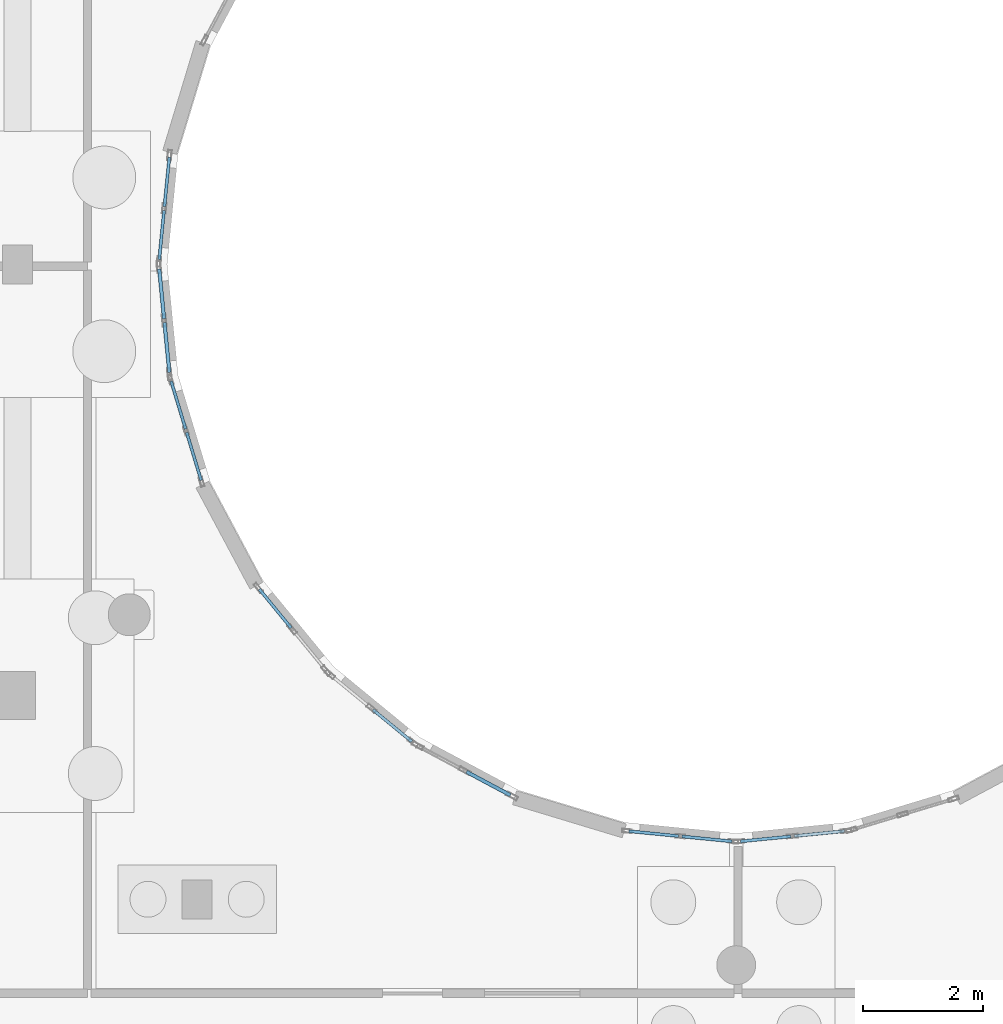
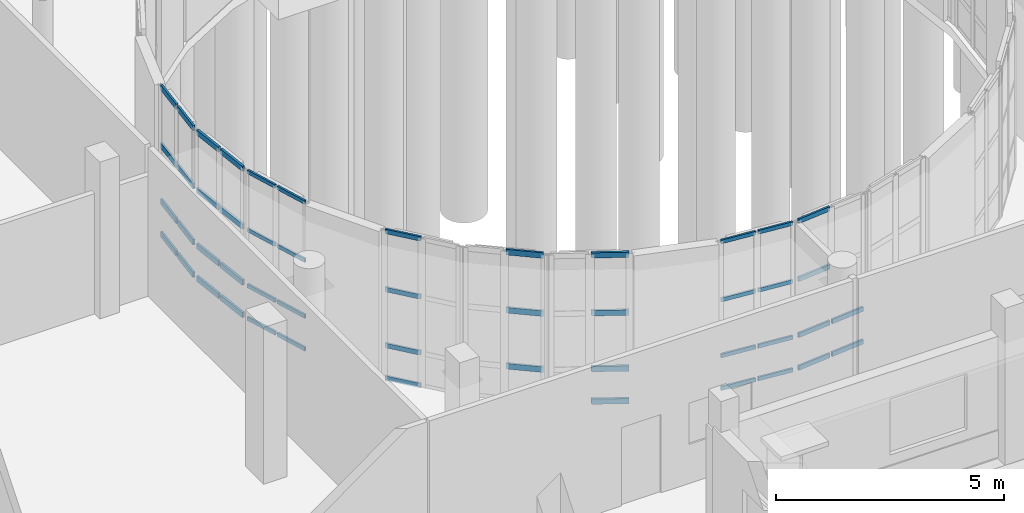
# One storey, part 42 of 93: 49 members, 8 elements without a shape of their own.
"""IFC4 building model written with IfcOpenShell, lengths in metres."""

from ifc_helpers import new_model, si_unit, direction, frame, origin, origin_2d, place, context, subcontext, project, spatial, hollow_rectangle, extrude, material, layer, layer_set, material_profile, profile_set, type_object, element, aggregate, save


model = new_model("IFC4")

# Units and contexts
model_context = context("Model", 3, precision=1e-05, world=origin(), true_north=direction((0.0, 1.0)))
body_context = subcontext(model_context, "Body", "Model", "MODEL_VIEW")
ifc_project = project(units=[si_unit("LENGTHUNIT", "METRE"), si_unit("AREAUNIT", "SQUARE_METRE"), si_unit("VOLUMEUNIT", "CUBIC_METRE"), si_unit("PLANEANGLEUNIT", "RADIAN"), si_unit("MASSUNIT", "GRAM", prefix="KILO")], contexts=[model_context])

# Site, building, storey
site_placement = place(None, origin())
site = spatial("IfcSite", under=ifc_project, at=site_placement, CompositionType="ELEMENT")
building_placement = place(site_placement, origin())
building = spatial("IfcBuilding", under=site, at=building_placement, Name="Kelanivale Promenade Academy", CompositionType="ELEMENT")
storey_placement = place(building_placement, origin())
storey = spatial("IfcBuildingStorey", under=building, at=storey_placement, Name="L00", CompositionType="ELEMENT", Elevation=0.0)

# Curtain wall, members
ifc_material_1 = material(Name="Bronze anodised aluminium and solar-control low-E glass", Category="aluminium")
ifc_layer_1 = layer(ifc_material_1, 0.169921875)
ifc_layer_set_1 = layer_set([ifc_layer_1], Name="Bronze anodised aluminium and solar-control low-E glass")
curtain_wall_type_1 = type_object("IfcCurtainWallType", Name="CW-13 Curtain Wall 1350mm Module", PredefinedType="USERDEFINED", material=ifc_layer_set_1)
curtain_wall_1_placement = place(storey_placement, origin())
curtain_wall_1 = element("IfcCurtainWall", 1, at=curtain_wall_1_placement, inside=storey, type_object=curtain_wall_type_1, Name="L00 courtyard curtain wall CW-13", ObjectType="COURTYARD SCREEN GLAZING", PredefinedType="USERDEFINED")
ifc_material_2 = material(Name="Bronze anodised aluminium EN AW-6063 T6", Category="aluminium")
ifc_material_profile_1 = material_profile(ifc_material_2, hollow_rectangle(XDim=0.050048828125, YDim=0.10009765625, WallThickness=0.0029296875, at=origin_2d()), Name="ALU 50x100x3.0")
ifc_profile_set_1 = profile_set([ifc_material_profile_1], Name="Bronze anodised aluminium EN AW-6063 T6")
member_type_1 = type_object("IfcMemberType", Name="CWT-01 ALU 50x100x3.0", PredefinedType="USERDEFINED", material=ifc_profile_set_1)
member_1_placement = place(storey_placement, frame((89.366455078125, 54.8486328125, 0.02490234375), z_axis=(0.2901943181, -0.956967741223, 0.0), x_axis=(0.956967741223, 0.2901943181, 0.0)))
member_1 = element("IfcMember", 2, at=member_1_placement, type_object=member_type_1, Name="CW-13 transom 1.1", ObjectType="TRANSOM", PredefinedType="USERDEFINED", context=body_context, shape_type="SweptSolid", body=[
    extrude(hollow_rectangle(XDim=0.050048828125, YDim=0.10009765625, WallThickness=0.0029296875, at=origin_2d()), origin(), (0.0, 0.0, 1.0), 0.833740234375),
])
member_2_placement = place(storey_placement, frame((89.366455078125, 54.8486328125, 0.89990234375), z_axis=(0.2901943181, -0.956967741223, 0.0), x_axis=(0.956967741223, 0.2901943181, 0.0)))
member_2 = element("IfcMember", 3, at=member_2_placement, type_object=member_type_1, Name="CW-13 transom 1.2", ObjectType="TRANSOM", PredefinedType="USERDEFINED", context=body_context, shape_type="SweptSolid", body=[
    extrude(hollow_rectangle(XDim=0.050048828125, YDim=0.10009765625, WallThickness=0.0029296875, at=origin_2d()), origin(), (0.0, 0.0, 1.0), 0.833740234375),
])
member_3_placement = place(storey_placement, frame((89.366455078125, 54.8486328125, 2.39990234375), z_axis=(0.2901943181, -0.956967741223, 0.0), x_axis=(0.956967741223, 0.2901943181, 0.0)))
member_3 = element("IfcMember", 4, at=member_3_placement, type_object=member_type_1, Name="CW-13 transom 1.3", ObjectType="TRANSOM", PredefinedType="USERDEFINED", context=body_context, shape_type="SweptSolid", body=[
    extrude(hollow_rectangle(XDim=0.050048828125, YDim=0.10009765625, WallThickness=0.0029296875, at=origin_2d()), origin(), (0.0, 0.0, 1.0), 0.833740234375),
])
member_4_placement = place(storey_placement, frame((89.366455078125, 54.8486328125, 3.955078125), z_axis=(0.2901943181, -0.956967741223, 0.0), x_axis=(0.956967741223, 0.2901943181, 0.0)))
member_4 = element("IfcMember", 5, at=member_4_placement, type_object=member_type_1, Name="CW-13 transom 1.4", ObjectType="TRANSOM", PredefinedType="USERDEFINED", context=body_context, shape_type="SweptSolid", body=[
    extrude(hollow_rectangle(XDim=0.050048828125, YDim=0.10009765625, WallThickness=0.0029296875, at=origin_2d()), origin(), (0.0, 0.0, 1.0), 0.833740234375),
])
member_5_placement = place(storey_placement, frame((89.625732421875, 53.993408203125, 0.02490234375), z_axis=(0.290113019071, -0.956992390861, 0.0), x_axis=(0.956992390861, 0.290113019071, 0.0)))
member_5 = element("IfcMember", 6, at=member_5_placement, type_object=member_type_1, Name="CW-13 transom 2.1", ObjectType="TRANSOM", PredefinedType="USERDEFINED", context=body_context, shape_type="SweptSolid", body=[
    extrude(hollow_rectangle(XDim=0.050048828125, YDim=0.10009765625, WallThickness=0.0029296875, at=origin_2d()), origin(), (0.0, 0.0, 1.0), 0.833984375),
])
member_6_placement = place(storey_placement, frame((89.625732421875, 53.993408203125, 0.89990234375), z_axis=(0.290113019071, -0.956992390861, 0.0), x_axis=(0.956992390861, 0.290113019071, 0.0)))
member_6 = element("IfcMember", 7, at=member_6_placement, type_object=member_type_1, Name="CW-13 transom 2.2", ObjectType="TRANSOM", PredefinedType="USERDEFINED", context=body_context, shape_type="SweptSolid", body=[
    extrude(hollow_rectangle(XDim=0.050048828125, YDim=0.10009765625, WallThickness=0.0029296875, at=origin_2d()), origin(), (0.0, 0.0, 1.0), 0.833984375),
])
member_7_placement = place(storey_placement, frame((89.625732421875, 53.993408203125, 2.39990234375), z_axis=(0.290113019071, -0.956992390861, 0.0), x_axis=(0.956992390861, 0.290113019071, 0.0)))
member_7 = element("IfcMember", 8, at=member_7_placement, type_object=member_type_1, Name="CW-13 transom 2.3", ObjectType="TRANSOM", PredefinedType="USERDEFINED", context=body_context, shape_type="SweptSolid", body=[
    extrude(hollow_rectangle(XDim=0.050048828125, YDim=0.10009765625, WallThickness=0.0029296875, at=origin_2d()), origin(), (0.0, 0.0, 1.0), 0.833984375),
])
member_8_placement = place(storey_placement, frame((89.625732421875, 53.993408203125, 3.955078125), z_axis=(0.290113019071, -0.956992390861, 0.0), x_axis=(0.956992390861, 0.290113019071, 0.0)))
member_8 = element("IfcMember", 9, at=member_8_placement, type_object=member_type_1, Name="CW-13 transom 2.4", ObjectType="TRANSOM", PredefinedType="USERDEFINED", context=body_context, shape_type="SweptSolid", body=[
    extrude(hollow_rectangle(XDim=0.050048828125, YDim=0.10009765625, WallThickness=0.0029296875, at=origin_2d()), origin(), (0.0, 0.0, 1.0), 0.833984375),
])
aggregate(curtain_wall_1, [member_1, member_2, member_3, member_4, member_5, member_6, member_7, member_8])

ifc_layer_2 = layer(ifc_material_1, 0.179931640625)
ifc_layer_set_2 = layer_set([ifc_layer_2], Name="Bronze anodised aluminium and solar-control low-E glass")
curtain_wall_type_2 = type_object("IfcCurtainWallType", Name="CW-17 Curtain Wall 1950mm Module", PredefinedType="USERDEFINED", material=ifc_layer_set_2)
curtain_wall_2_placement = place(storey_placement, origin())
curtain_wall_2 = element("IfcCurtainWall", 10, at=curtain_wall_2_placement, inside=storey, type_object=curtain_wall_type_2, Name="L00 courtyard curtain wall CW-17", ObjectType="COURTYARD SCREEN GLAZING", PredefinedType="USERDEFINED")
member_9_placement = place(storey_placement, frame((97.0078125, 47.337158203125, 0.02490234375), z_axis=(0.99511519259, -0.098720582839, 0.0), x_axis=(0.098720582839, 0.99511519259, 0.0)))
member_9 = element("IfcMember", 11, at=member_9_placement, type_object=member_type_1, Name="CW-17 transom 1.1", ObjectType="TRANSOM", PredefinedType="USERDEFINED", context=body_context, shape_type="SweptSolid", body=[
    extrude(hollow_rectangle(XDim=0.050048828125, YDim=0.10009765625, WallThickness=0.0029296875, at=origin_2d()), origin(), (0.0, 0.0, 1.0), 0.83349609375),
])
member_10_placement = place(storey_placement, frame((97.0078125, 47.337158203125, 0.89990234375), z_axis=(0.99511519259, -0.098720582839, 0.0), x_axis=(0.098720582839, 0.99511519259, 0.0)))
member_10 = element("IfcMember", 12, at=member_10_placement, type_object=member_type_1, Name="CW-17 transom 1.2", ObjectType="TRANSOM", PredefinedType="USERDEFINED", context=body_context, shape_type="SweptSolid", body=[
    extrude(hollow_rectangle(XDim=0.050048828125, YDim=0.10009765625, WallThickness=0.0029296875, at=origin_2d()), origin(), (0.0, 0.0, 1.0), 0.83349609375),
])
member_11_placement = place(storey_placement, frame((97.0078125, 47.337158203125, 2.39990234375), z_axis=(0.99511519259, -0.098720582839, 0.0), x_axis=(0.098720582839, 0.99511519259, 0.0)))
member_11 = element("IfcMember", 13, at=member_11_placement, type_object=member_type_1, Name="CW-17 transom 1.3", ObjectType="TRANSOM", PredefinedType="USERDEFINED", context=body_context, shape_type="SweptSolid", body=[
    extrude(hollow_rectangle(XDim=0.050048828125, YDim=0.10009765625, WallThickness=0.0029296875, at=origin_2d()), origin(), (0.0, 0.0, 1.0), 0.83349609375),
])
member_12_placement = place(storey_placement, frame((97.0078125, 47.337158203125, 3.955078125), z_axis=(0.99511519259, -0.098720582839, 0.0), x_axis=(0.098720582839, 0.99511519259, 0.0)))
member_12 = element("IfcMember", 14, at=member_12_placement, type_object=member_type_1, Name="CW-17 transom 1.4", ObjectType="TRANSOM", PredefinedType="USERDEFINED", context=body_context, shape_type="SweptSolid", body=[
    extrude(hollow_rectangle(XDim=0.050048828125, YDim=0.10009765625, WallThickness=0.0029296875, at=origin_2d()), origin(), (0.0, 0.0, 1.0), 0.83349609375),
])
member_13_placement = place(storey_placement, frame((97.89697265625, 47.2490234375, 0.02490234375), z_axis=(0.995143929023, -0.098430485767, 0.0), x_axis=(0.098430485767, 0.995143929023, 0.0)))
member_13 = element("IfcMember", 15, at=member_13_placement, type_object=member_type_1, Name="CW-17 transom 2.1", ObjectType="TRANSOM", PredefinedType="USERDEFINED", context=body_context, shape_type="SweptSolid", body=[
    extrude(hollow_rectangle(XDim=0.050048828125, YDim=0.10009765625, WallThickness=0.0029296875, at=origin_2d()), origin(), (0.0, 0.0, 1.0), 0.83349609375),
])
member_14_placement = place(storey_placement, frame((97.89697265625, 47.2490234375, 0.89990234375), z_axis=(0.995143929023, -0.098430485767, 0.0), x_axis=(0.098430485767, 0.995143929023, 0.0)))
member_14 = element("IfcMember", 16, at=member_14_placement, type_object=member_type_1, Name="CW-17 transom 2.2", ObjectType="TRANSOM", PredefinedType="USERDEFINED", context=body_context, shape_type="SweptSolid", body=[
    extrude(hollow_rectangle(XDim=0.050048828125, YDim=0.10009765625, WallThickness=0.0029296875, at=origin_2d()), origin(), (0.0, 0.0, 1.0), 0.83349609375),
])
member_15_placement = place(storey_placement, frame((97.89697265625, 47.2490234375, 2.39990234375), z_axis=(0.995143929023, -0.098430485767, 0.0), x_axis=(0.098430485767, 0.995143929023, 0.0)))
member_15 = element("IfcMember", 17, at=member_15_placement, type_object=member_type_1, Name="CW-17 transom 2.3", ObjectType="TRANSOM", PredefinedType="USERDEFINED", context=body_context, shape_type="SweptSolid", body=[
    extrude(hollow_rectangle(XDim=0.050048828125, YDim=0.10009765625, WallThickness=0.0029296875, at=origin_2d()), origin(), (0.0, 0.0, 1.0), 0.83349609375),
])
member_16_placement = place(storey_placement, frame((97.89697265625, 47.2490234375, 3.955078125), z_axis=(0.995143929023, -0.098430485767, 0.0), x_axis=(0.098430485767, 0.995143929023, 0.0)))
member_16 = element("IfcMember", 18, at=member_16_placement, type_object=member_type_1, Name="CW-17 transom 2.4", ObjectType="TRANSOM", PredefinedType="USERDEFINED", context=body_context, shape_type="SweptSolid", body=[
    extrude(hollow_rectangle(XDim=0.050048828125, YDim=0.10009765625, WallThickness=0.0029296875, at=origin_2d()), origin(), (0.0, 0.0, 1.0), 0.83349609375),
])
aggregate(curtain_wall_2, [member_9, member_10, member_11, member_12, member_13, member_14, member_15, member_16])

ifc_layer_3 = layer(ifc_material_1, 0.179931640625)
ifc_layer_set_3 = layer_set([ifc_layer_3], Name="Bronze anodised aluminium and solar-control low-E glass")
curtain_wall_type_3 = type_object("IfcCurtainWallType", Name="CW-14 Curtain Wall 1500mm Module", PredefinedType="USERDEFINED", material=ifc_layer_set_3)
curtain_wall_3_placement = place(storey_placement, origin())
curtain_wall_3 = element("IfcCurtainWall", 19, at=curtain_wall_3_placement, inside=storey, type_object=curtain_wall_type_3, Name="L00 courtyard curtain wall CW-14", ObjectType="COURTYARD SCREEN GLAZING", PredefinedType="USERDEFINED")
ifc_material_profile_2 = material_profile(ifc_material_2, hollow_rectangle(XDim=0.050048828125, YDim=0.1201171875, WallThickness=0.0029296875, at=origin_2d()), Name="ALU 50x120x3.0")
ifc_profile_set_2 = profile_set([ifc_material_profile_2], Name="Bronze anodised aluminium EN AW-6063 T6")
member_type_2 = type_object("IfcMemberType", Name="CWT-02 ALU 50x120x3.0", PredefinedType="USERDEFINED", material=ifc_profile_set_2)
member_17_placement = place(storey_placement, frame((90.841064453125, 51.37451171875, 0.02490234375), z_axis=(0.634083092319, -0.773264917111, 0.0), x_axis=(0.773264917111, 0.634083092319, 0.0)))
member_17 = element("IfcMember", 20, at=member_17_placement, type_object=member_type_2, Name="CW-14 transom 1.1", ObjectType="TRANSOM", PredefinedType="USERDEFINED", context=body_context, shape_type="SweptSolid", body=[
    extrude(hollow_rectangle(XDim=0.050048828125, YDim=0.1201171875, WallThickness=0.0029296875, at=origin_2d()), origin(), (0.0, 0.0, 1.0), 0.833251953125),
])
member_18_placement = place(storey_placement, frame((90.841064453125, 51.37451171875, 0.89990234375), z_axis=(0.634083092319, -0.773264917111, 0.0), x_axis=(0.773264917111, 0.634083092319, 0.0)))
member_18 = element("IfcMember", 21, at=member_18_placement, type_object=member_type_2, Name="CW-14 transom 1.2", ObjectType="TRANSOM", PredefinedType="USERDEFINED", context=body_context, shape_type="SweptSolid", body=[
    extrude(hollow_rectangle(XDim=0.050048828125, YDim=0.1201171875, WallThickness=0.0029296875, at=origin_2d()), origin(), (0.0, 0.0, 1.0), 0.833251953125),
])
member_19_placement = place(storey_placement, frame((90.841064453125, 51.37451171875, 2.39990234375), z_axis=(0.634083092319, -0.773264917111, 0.0), x_axis=(0.773264917111, 0.634083092319, 0.0)))
member_19 = element("IfcMember", 22, at=member_19_placement, type_object=member_type_2, Name="CW-14 transom 1.3", ObjectType="TRANSOM", PredefinedType="USERDEFINED", context=body_context, shape_type="SweptSolid", body=[
    extrude(hollow_rectangle(XDim=0.050048828125, YDim=0.1201171875, WallThickness=0.0029296875, at=origin_2d()), origin(), (0.0, 0.0, 1.0), 0.833251953125),
])
member_20_placement = place(storey_placement, frame((90.841064453125, 51.37451171875, 3.955078125), z_axis=(0.634083092319, -0.773264917111, 0.0), x_axis=(0.773264917111, 0.634083092319, 0.0)))
member_20 = element("IfcMember", 23, at=member_20_placement, type_object=member_type_2, Name="CW-14 transom 1.4", ObjectType="TRANSOM", PredefinedType="USERDEFINED", context=body_context, shape_type="SweptSolid", body=[
    extrude(hollow_rectangle(XDim=0.050048828125, YDim=0.1201171875, WallThickness=0.0029296875, at=origin_2d()), origin(), (0.0, 0.0, 1.0), 0.833251953125),
])
aggregate(curtain_wall_3, [member_17, member_18, member_19, member_20])

ifc_layer_4 = layer(ifc_material_1, 0.159912109375)
ifc_layer_set_4 = layer_set([ifc_layer_4], Name="Bronze anodised aluminium and solar-control low-E glass")
curtain_wall_type_4 = type_object("IfcCurtainWallType", Name="CW-18 Curtain Wall 1200mm Module", PredefinedType="USERDEFINED", material=ifc_layer_set_4)
curtain_wall_4_placement = place(storey_placement, origin())
curtain_wall_4 = element("IfcCurtainWall", 24, at=curtain_wall_4_placement, inside=storey, type_object=curtain_wall_type_4, Name="L00 courtyard curtain wall CW-18", ObjectType="COURTYARD SCREEN GLAZING", PredefinedType="USERDEFINED")
member_21_placement = place(storey_placement, frame((98.873779296875, 47.1669921875, 0.02490234375), z_axis=(0.995174201639, 0.098123944036, 0.0), x_axis=(-0.098123944036, 0.995174201639, 0.0)))
member_21 = element("IfcMember", 25, at=member_21_placement, type_object=member_type_2, Name="CW-18 transom 1.1", ObjectType="TRANSOM", PredefinedType="USERDEFINED", context=body_context, shape_type="SweptSolid", body=[
    extrude(hollow_rectangle(XDim=0.050048828125, YDim=0.1201171875, WallThickness=0.0029296875, at=origin_2d()), origin(), (0.0, 0.0, 1.0), 0.841064453125),
])
member_22_placement = place(storey_placement, frame((98.873779296875, 47.1669921875, 0.89990234375), z_axis=(0.995174201639, 0.098123944036, 0.0), x_axis=(-0.098123944036, 0.995174201639, 0.0)))
member_22 = element("IfcMember", 26, at=member_22_placement, type_object=member_type_2, Name="CW-18 transom 1.2", ObjectType="TRANSOM", PredefinedType="USERDEFINED", context=body_context, shape_type="SweptSolid", body=[
    extrude(hollow_rectangle(XDim=0.050048828125, YDim=0.1201171875, WallThickness=0.0029296875, at=origin_2d()), origin(), (0.0, 0.0, 1.0), 0.841064453125),
])
member_23_placement = place(storey_placement, frame((98.873779296875, 47.1669921875, 2.39990234375), z_axis=(0.995174201639, 0.098123944036, 0.0), x_axis=(-0.098123944036, 0.995174201639, 0.0)))
member_23 = element("IfcMember", 27, at=member_23_placement, type_object=member_type_2, Name="CW-18 transom 1.3", ObjectType="TRANSOM", PredefinedType="USERDEFINED", context=body_context, shape_type="SweptSolid", body=[
    extrude(hollow_rectangle(XDim=0.050048828125, YDim=0.1201171875, WallThickness=0.0029296875, at=origin_2d()), origin(), (0.0, 0.0, 1.0), 0.841064453125),
])
member_24_placement = place(storey_placement, frame((98.873779296875, 47.1669921875, 3.955078125), z_axis=(0.995174201639, 0.098123944036, 0.0), x_axis=(-0.098123944036, 0.995174201639, 0.0)))
member_24 = element("IfcMember", 28, at=member_24_placement, type_object=member_type_2, Name="CW-18 transom 1.4", ObjectType="TRANSOM", PredefinedType="USERDEFINED", context=body_context, shape_type="SweptSolid", body=[
    extrude(hollow_rectangle(XDim=0.050048828125, YDim=0.1201171875, WallThickness=0.0029296875, at=origin_2d()), origin(), (0.0, 0.0, 1.0), 0.841064453125),
])
member_25_placement = place(storey_placement, frame((99.770263671875, 47.25537109375, 0.02490234375), z_axis=(0.995145812266, 0.098411444095, 0.0), x_axis=(-0.098411444095, 0.995145812266, 0.0)))
member_25 = element("IfcMember", 29, at=member_25_placement, type_object=member_type_2, Name="CW-18 transom 2.1", ObjectType="TRANSOM", PredefinedType="USERDEFINED", context=body_context, shape_type="SweptSolid", body=[
    extrude(hollow_rectangle(XDim=0.050048828125, YDim=0.1201171875, WallThickness=0.0029296875, at=origin_2d()), origin(), (0.0, 0.0, 1.0), 0.841064453125),
])
member_26_placement = place(storey_placement, frame((99.770263671875, 47.25537109375, 0.89990234375), z_axis=(0.995145812266, 0.098411444095, 0.0), x_axis=(-0.098411444095, 0.995145812266, 0.0)))
member_26 = element("IfcMember", 30, at=member_26_placement, type_object=member_type_2, Name="CW-18 transom 2.2", ObjectType="TRANSOM", PredefinedType="USERDEFINED", context=body_context, shape_type="SweptSolid", body=[
    extrude(hollow_rectangle(XDim=0.050048828125, YDim=0.1201171875, WallThickness=0.0029296875, at=origin_2d()), origin(), (0.0, 0.0, 1.0), 0.841064453125),
])
aggregate(curtain_wall_4, [member_21, member_22, member_23, member_24, member_25, member_26])

ifc_layer_5 = layer(ifc_material_1, 0.179931640625)
ifc_layer_set_5 = layer_set([ifc_layer_5], Name="Bronze anodised aluminium and solar-control low-E glass")
curtain_wall_type_5 = type_object("IfcCurtainWallType", Name="CW-11 Curtain Wall 1950mm Module", PredefinedType="USERDEFINED", material=ifc_layer_set_5)
curtain_wall_5_placement = place(storey_placement, origin())
curtain_wall_5 = element("IfcCurtainWall", 31, at=curtain_wall_5_placement, inside=storey, type_object=curtain_wall_type_5, Name="L00 courtyard curtain wall CW-11", ObjectType="UNITISED GLAZING", PredefinedType="USERDEFINED")
ifc_material_profile_3 = material_profile(ifc_material_2, hollow_rectangle(XDim=0.050048828125, YDim=0.14990234375, WallThickness=0.00341796875, at=origin_2d()), Name="ALU 50x150x3.5")
ifc_profile_set_3 = profile_set([ifc_material_profile_3], Name="Bronze anodised aluminium EN AW-6063 T6")
member_type_3 = type_object("IfcMemberType", Name="CWT-03 ALU 50x150x3.5", PredefinedType="USERDEFINED", material=ifc_profile_set_3)
member_27_placement = place(storey_placement, frame((89.336669921875, 58.58740234375, 0.02490234375), z_axis=(-0.098713604262, -0.995115884877, 0.0), x_axis=(0.995115884877, -0.098713604262, 0.0)))
member_27 = element("IfcMember", 32, at=member_27_placement, type_object=member_type_3, Name="CW-11 transom 1.1", ObjectType="TRANSOM", PredefinedType="USERDEFINED", context=body_context, shape_type="SweptSolid", body=[
    extrude(hollow_rectangle(XDim=0.050048828125, YDim=0.14990234375, WallThickness=0.00341796875, at=origin_2d()), origin(), (0.0, 0.0, 1.0), 0.826171875),
])
member_28_placement = place(storey_placement, frame((89.336669921875, 58.58740234375, 0.89990234375), z_axis=(-0.098713604262, -0.995115884877, 0.0), x_axis=(0.995115884877, -0.098713604262, 0.0)))
member_28 = element("IfcMember", 33, at=member_28_placement, type_object=member_type_3, Name="CW-11 transom 1.2", ObjectType="TRANSOM", PredefinedType="USERDEFINED", context=body_context, shape_type="SweptSolid", body=[
    extrude(hollow_rectangle(XDim=0.050048828125, YDim=0.14990234375, WallThickness=0.00341796875, at=origin_2d()), origin(), (0.0, 0.0, 1.0), 0.826171875),
])
member_29_placement = place(storey_placement, frame((89.336669921875, 58.58740234375, 2.39990234375), z_axis=(-0.098713604262, -0.995115884877, 0.0), x_axis=(0.995115884877, -0.098713604262, 0.0)))
member_29 = element("IfcMember", 34, at=member_29_placement, type_object=member_type_3, Name="CW-11 transom 1.3", ObjectType="TRANSOM", PredefinedType="USERDEFINED", context=body_context, shape_type="SweptSolid", body=[
    extrude(hollow_rectangle(XDim=0.050048828125, YDim=0.14990234375, WallThickness=0.00341796875, at=origin_2d()), origin(), (0.0, 0.0, 1.0), 0.826171875),
])
member_30_placement = place(storey_placement, frame((89.336669921875, 58.58740234375, 3.955078125), z_axis=(-0.098713604262, -0.995115884877, 0.0), x_axis=(0.995115884877, -0.098713604262, 0.0)))
member_30 = element("IfcMember", 35, at=member_30_placement, type_object=member_type_3, Name="CW-11 transom 1.4", ObjectType="TRANSOM", PredefinedType="USERDEFINED", context=body_context, shape_type="SweptSolid", body=[
    extrude(hollow_rectangle(XDim=0.050048828125, YDim=0.14990234375, WallThickness=0.00341796875, at=origin_2d()), origin(), (0.0, 0.0, 1.0), 0.826171875),
])
member_31_placement = place(storey_placement, frame((89.248779296875, 57.70068359375, 0.02490234375), z_axis=(-0.0984209217, -0.995144874966, 0.0), x_axis=(0.995144874966, -0.0984209217, 0.0)))
member_31 = element("IfcMember", 36, at=member_31_placement, type_object=member_type_3, Name="CW-11 transom 2.1", ObjectType="TRANSOM", PredefinedType="USERDEFINED", context=body_context, shape_type="SweptSolid", body=[
    extrude(hollow_rectangle(XDim=0.050048828125, YDim=0.14990234375, WallThickness=0.00341796875, at=origin_2d()), origin(), (0.0, 0.0, 1.0), 0.825927734375),
])
member_32_placement = place(storey_placement, frame((89.248779296875, 57.70068359375, 0.89990234375), z_axis=(-0.0984209217, -0.995144874966, 0.0), x_axis=(0.995144874966, -0.0984209217, 0.0)))
member_32 = element("IfcMember", 37, at=member_32_placement, type_object=member_type_3, Name="CW-11 transom 2.2", ObjectType="TRANSOM", PredefinedType="USERDEFINED", context=body_context, shape_type="SweptSolid", body=[
    extrude(hollow_rectangle(XDim=0.050048828125, YDim=0.14990234375, WallThickness=0.00341796875, at=origin_2d()), origin(), (0.0, 0.0, 1.0), 0.825927734375),
])
member_33_placement = place(storey_placement, frame((89.248779296875, 57.70068359375, 2.39990234375), z_axis=(-0.0984209217, -0.995144874966, 0.0), x_axis=(0.995144874966, -0.0984209217, 0.0)))
member_33 = element("IfcMember", 38, at=member_33_placement, type_object=member_type_3, Name="CW-11 transom 2.3", ObjectType="TRANSOM", PredefinedType="USERDEFINED", context=body_context, shape_type="SweptSolid", body=[
    extrude(hollow_rectangle(XDim=0.050048828125, YDim=0.14990234375, WallThickness=0.00341796875, at=origin_2d()), origin(), (0.0, 0.0, 1.0), 0.825927734375),
])
member_34_placement = place(storey_placement, frame((89.248779296875, 57.70068359375, 3.955078125), z_axis=(-0.0984209217, -0.995144874966, 0.0), x_axis=(0.995144874966, -0.0984209217, 0.0)))
member_34 = element("IfcMember", 39, at=member_34_placement, type_object=member_type_3, Name="CW-11 transom 2.4", ObjectType="TRANSOM", PredefinedType="USERDEFINED", context=body_context, shape_type="SweptSolid", body=[
    extrude(hollow_rectangle(XDim=0.050048828125, YDim=0.14990234375, WallThickness=0.00341796875, at=origin_2d()), origin(), (0.0, 0.0, 1.0), 0.825927734375),
])
aggregate(curtain_wall_5, [member_27, member_28, member_29, member_30, member_31, member_32, member_33, member_34])

ifc_layer_6 = layer(ifc_material_1, 0.159912109375)
ifc_layer_set_6 = layer_set([ifc_layer_6], Name="Bronze anodised aluminium and solar-control low-E glass")
curtain_wall_type_6 = type_object("IfcCurtainWallType", Name="CW-15 Curtain Wall 1650mm Module", PredefinedType="USERDEFINED", material=ifc_layer_set_6)
curtain_wall_6_placement = place(storey_placement, origin())
curtain_wall_6 = element("IfcCurtainWall", 40, at=curtain_wall_6_placement, inside=storey, type_object=curtain_wall_type_6, Name="L00 courtyard curtain wall CW-15", ObjectType="COURTYARD SCREEN GLAZING", PredefinedType="USERDEFINED")
member_35_placement = place(storey_placement, frame((92.738037109375, 49.36279296875, 0.89990234375), z_axis=(0.773356800683, -0.633971023657, 0.0), x_axis=(0.633971023657, 0.773356800683, 0.0)))
member_35 = element("IfcMember", 41, at=member_35_placement, type_object=member_type_3, Name="CW-15 transom 2.2", ObjectType="TRANSOM", PredefinedType="USERDEFINED", context=body_context, shape_type="SweptSolid", body=[
    extrude(hollow_rectangle(XDim=0.050048828125, YDim=0.14990234375, WallThickness=0.00341796875, at=origin_2d()), origin(), (0.0, 0.0, 1.0), 0.833740234375),
])
member_36_placement = place(storey_placement, frame((92.738037109375, 49.36279296875, 2.39990234375), z_axis=(0.773356800683, -0.633971023657, 0.0), x_axis=(0.633971023657, 0.773356800683, 0.0)))
member_36 = element("IfcMember", 42, at=member_36_placement, type_object=member_type_3, Name="CW-15 transom 2.3", ObjectType="TRANSOM", PredefinedType="USERDEFINED", context=body_context, shape_type="SweptSolid", body=[
    extrude(hollow_rectangle(XDim=0.050048828125, YDim=0.14990234375, WallThickness=0.00341796875, at=origin_2d()), origin(), (0.0, 0.0, 1.0), 0.833740234375),
])
member_37_placement = place(storey_placement, frame((92.738037109375, 49.36279296875, 3.955078125), z_axis=(0.773356800683, -0.633971023657, 0.0), x_axis=(0.633971023657, 0.773356800683, 0.0)))
member_37 = element("IfcMember", 43, at=member_37_placement, type_object=member_type_3, Name="CW-15 transom 2.4", ObjectType="TRANSOM", PredefinedType="USERDEFINED", context=body_context, shape_type="SweptSolid", body=[
    extrude(hollow_rectangle(XDim=0.050048828125, YDim=0.14990234375, WallThickness=0.00341796875, at=origin_2d()), origin(), (0.0, 0.0, 1.0), 0.833740234375),
])
aggregate(curtain_wall_6, [member_35, member_36, member_37])

ifc_layer_7 = layer(ifc_material_1, 0.159912109375)
ifc_layer_set_7 = layer_set([ifc_layer_7], Name="Bronze anodised aluminium and solar-control low-E glass")
curtain_wall_type_7 = type_object("IfcCurtainWallType", Name="CW-12 Curtain Wall 1200mm Module", PredefinedType="USERDEFINED", material=ifc_layer_set_7)
curtain_wall_7_placement = place(storey_placement, origin())
curtain_wall_7 = element("IfcCurtainWall", 44, at=curtain_wall_7_placement, inside=storey, type_object=curtain_wall_type_7, Name="L00 courtyard curtain wall CW-12", ObjectType="UNITISED GLAZING", PredefinedType="USERDEFINED")
ifc_material_profile_4 = material_profile(ifc_material_2, hollow_rectangle(XDim=0.06005859375, YDim=0.139892578125, WallThickness=0.00341796875, at=origin_2d()), Name="ALU 60x140x3.5")
ifc_profile_set_4 = profile_set([ifc_material_profile_4], Name="Bronze anodised aluminium EN AW-6063 T6")
member_type_4 = type_object("IfcMemberType", Name="CWT-04 ALU 60x140x3.5", PredefinedType="USERDEFINED", material=ifc_profile_set_4)
member_38_placement = place(storey_placement, frame((89.16748046875, 56.721435546875, 0.030029296875), z_axis=(0.098111759852, -0.995175402921, 0.0), x_axis=(0.995175402921, 0.098111759852, 0.0)))
member_38 = element("IfcMember", 45, at=member_38_placement, type_object=member_type_4, Name="CW-12 transom 1.1", ObjectType="TRANSOM", PredefinedType="USERDEFINED", context=body_context, shape_type="SweptSolid", body=[
    extrude(hollow_rectangle(XDim=0.06005859375, YDim=0.139892578125, WallThickness=0.00341796875, at=origin_2d()), origin(), (0.0, 0.0, 1.0), 0.83349609375),
])
member_39_placement = place(storey_placement, frame((89.16748046875, 56.721435546875, 0.89990234375), z_axis=(0.098111759852, -0.995175402921, 0.0), x_axis=(0.995175402921, 0.098111759852, 0.0)))
member_39 = element("IfcMember", 46, at=member_39_placement, type_object=member_type_4, Name="CW-12 transom 1.2", ObjectType="TRANSOM", PredefinedType="USERDEFINED", context=body_context, shape_type="SweptSolid", body=[
    extrude(hollow_rectangle(XDim=0.06005859375, YDim=0.139892578125, WallThickness=0.00341796875, at=origin_2d()), origin(), (0.0, 0.0, 1.0), 0.83349609375),
])
member_40_placement = place(storey_placement, frame((89.16748046875, 56.721435546875, 2.39990234375), z_axis=(0.098111759852, -0.995175402921, 0.0), x_axis=(0.995175402921, 0.098111759852, 0.0)))
member_40 = element("IfcMember", 47, at=member_40_placement, type_object=member_type_4, Name="CW-12 transom 1.3", ObjectType="TRANSOM", PredefinedType="USERDEFINED", context=body_context, shape_type="SweptSolid", body=[
    extrude(hollow_rectangle(XDim=0.06005859375, YDim=0.139892578125, WallThickness=0.00341796875, at=origin_2d()), origin(), (0.0, 0.0, 1.0), 0.83349609375),
])
member_41_placement = place(storey_placement, frame((89.16748046875, 56.721435546875, 3.949951171875), z_axis=(0.098111759852, -0.995175402921, 0.0), x_axis=(0.995175402921, 0.098111759852, 0.0)))
member_41 = element("IfcMember", 48, at=member_41_placement, type_object=member_type_4, Name="CW-12 transom 1.4", ObjectType="TRANSOM", PredefinedType="USERDEFINED", context=body_context, shape_type="SweptSolid", body=[
    extrude(hollow_rectangle(XDim=0.06005859375, YDim=0.139892578125, WallThickness=0.00341796875, at=origin_2d()), origin(), (0.0, 0.0, 1.0), 0.83349609375),
])
member_42_placement = place(storey_placement, frame((89.255615234375, 55.8271484375, 0.030029296875), z_axis=(0.098430485767, -0.995143929023, 0.0), x_axis=(0.995143929023, 0.098430485767, 0.0)))
member_42 = element("IfcMember", 49, at=member_42_placement, type_object=member_type_4, Name="CW-12 transom 2.1", ObjectType="TRANSOM", PredefinedType="USERDEFINED", context=body_context, shape_type="SweptSolid", body=[
    extrude(hollow_rectangle(XDim=0.06005859375, YDim=0.139892578125, WallThickness=0.00341796875, at=origin_2d()), origin(), (0.0, 0.0, 1.0), 0.83349609375),
])
member_43_placement = place(storey_placement, frame((89.255615234375, 55.8271484375, 0.89990234375), z_axis=(0.098430485767, -0.995143929023, 0.0), x_axis=(0.995143929023, 0.098430485767, 0.0)))
member_43 = element("IfcMember", 50, at=member_43_placement, type_object=member_type_4, Name="CW-12 transom 2.2", ObjectType="TRANSOM", PredefinedType="USERDEFINED", context=body_context, shape_type="SweptSolid", body=[
    extrude(hollow_rectangle(XDim=0.06005859375, YDim=0.139892578125, WallThickness=0.00341796875, at=origin_2d()), origin(), (0.0, 0.0, 1.0), 0.83349609375),
])
member_44_placement = place(storey_placement, frame((89.255615234375, 55.8271484375, 2.39990234375), z_axis=(0.098430485767, -0.995143929023, 0.0), x_axis=(0.995143929023, 0.098430485767, 0.0)))
member_44 = element("IfcMember", 51, at=member_44_placement, type_object=member_type_4, Name="CW-12 transom 2.3", ObjectType="TRANSOM", PredefinedType="USERDEFINED", context=body_context, shape_type="SweptSolid", body=[
    extrude(hollow_rectangle(XDim=0.06005859375, YDim=0.139892578125, WallThickness=0.00341796875, at=origin_2d()), origin(), (0.0, 0.0, 1.0), 0.83349609375),
])
member_45_placement = place(storey_placement, frame((89.255615234375, 55.8271484375, 3.949951171875), z_axis=(0.098430485767, -0.995143929023, 0.0), x_axis=(0.995143929023, 0.098430485767, 0.0)))
member_45 = element("IfcMember", 52, at=member_45_placement, type_object=member_type_4, Name="CW-12 transom 2.4", ObjectType="TRANSOM", PredefinedType="USERDEFINED", context=body_context, shape_type="SweptSolid", body=[
    extrude(hollow_rectangle(XDim=0.06005859375, YDim=0.139892578125, WallThickness=0.00341796875, at=origin_2d()), origin(), (0.0, 0.0, 1.0), 0.83349609375),
])
aggregate(curtain_wall_7, [member_38, member_39, member_40, member_41, member_42, member_43, member_44, member_45])

ifc_layer_8 = layer(ifc_material_1, 0.169921875)
ifc_layer_set_8 = layer_set([ifc_layer_8], Name="Bronze anodised aluminium and solar-control low-E glass")
curtain_wall_type_8 = type_object("IfcCurtainWallType", Name="CW-16 Curtain Wall 1800mm Module", PredefinedType="USERDEFINED", material=ifc_layer_set_8)
curtain_wall_8_placement = place(storey_placement, origin())
curtain_wall_8 = element("IfcCurtainWall", 53, at=curtain_wall_8_placement, inside=storey, type_object=curtain_wall_type_8, Name="L00 courtyard curtain wall CW-16", ObjectType="COURTYARD SCREEN GLAZING", PredefinedType="USERDEFINED")
member_46_placement = place(storey_placement, frame((94.299560546875, 48.3271484375, 0.030029296875), z_axis=(0.882050208669, -0.471155419567, 0.0), x_axis=(0.471155419567, 0.882050208669, 0.0)))
member_46 = element("IfcMember", 54, at=member_46_placement, type_object=member_type_4, Name="CW-16 transom 2.1", ObjectType="TRANSOM", PredefinedType="USERDEFINED", context=body_context, shape_type="SweptSolid", body=[
    extrude(hollow_rectangle(XDim=0.06005859375, YDim=0.139892578125, WallThickness=0.00341796875, at=origin_2d()), origin(), (0.0, 0.0, 1.0), 0.826416015625),
])
member_47_placement = place(storey_placement, frame((94.299560546875, 48.3271484375, 0.89990234375), z_axis=(0.882050208669, -0.471155419567, 0.0), x_axis=(0.471155419567, 0.882050208669, 0.0)))
member_47 = element("IfcMember", 55, at=member_47_placement, type_object=member_type_4, Name="CW-16 transom 2.2", ObjectType="TRANSOM", PredefinedType="USERDEFINED", context=body_context, shape_type="SweptSolid", body=[
    extrude(hollow_rectangle(XDim=0.06005859375, YDim=0.139892578125, WallThickness=0.00341796875, at=origin_2d()), origin(), (0.0, 0.0, 1.0), 0.826416015625),
])
member_48_placement = place(storey_placement, frame((94.299560546875, 48.3271484375, 2.39990234375), z_axis=(0.882050208669, -0.471155419567, 0.0), x_axis=(0.471155419567, 0.882050208669, 0.0)))
member_48 = element("IfcMember", 56, at=member_48_placement, type_object=member_type_4, Name="CW-16 transom 2.3", ObjectType="TRANSOM", PredefinedType="USERDEFINED", context=body_context, shape_type="SweptSolid", body=[
    extrude(hollow_rectangle(XDim=0.06005859375, YDim=0.139892578125, WallThickness=0.00341796875, at=origin_2d()), origin(), (0.0, 0.0, 1.0), 0.826416015625),
])
member_49_placement = place(storey_placement, frame((94.299560546875, 48.3271484375, 3.949951171875), z_axis=(0.882050208669, -0.471155419567, 0.0), x_axis=(0.471155419567, 0.882050208669, 0.0)))
member_49 = element("IfcMember", 57, at=member_49_placement, type_object=member_type_4, Name="CW-16 transom 2.4", ObjectType="TRANSOM", PredefinedType="USERDEFINED", context=body_context, shape_type="SweptSolid", body=[
    extrude(hollow_rectangle(XDim=0.06005859375, YDim=0.139892578125, WallThickness=0.00341796875, at=origin_2d()), origin(), (0.0, 0.0, 1.0), 0.826416015625),
])
aggregate(curtain_wall_8, [member_46, member_47, member_48, member_49])

save(model, "model.ifc")
